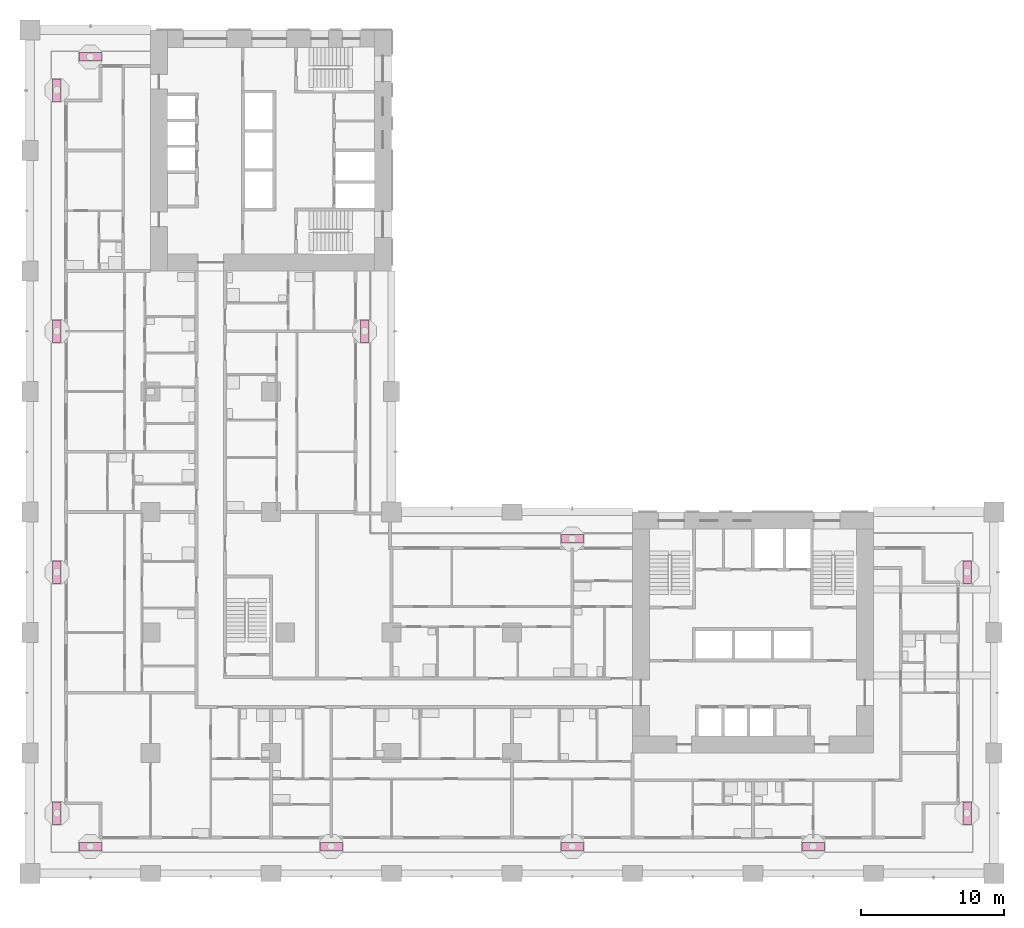
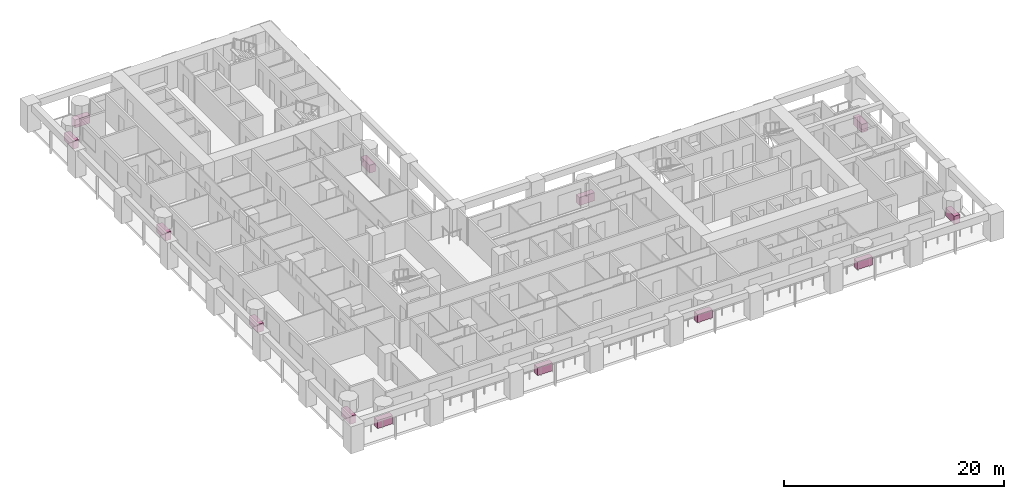
# One storey, part 20 of 21: 13 furniture elements.
"""IFC4 building model written with IfcOpenShell, lengths in metres."""

from ifc_helpers import new_model, si_unit, direction, frame, origin, origin_2d, place, context, subcontext, project, spatial, rectangle, extrude, material, element, save


model = new_model("IFC4")

# Units and contexts
model_context = context("Model", 3, precision=1e-05, world=origin(), true_north=direction((0.0, 1.0)))
body_context = subcontext(model_context, "Body", "Model", "MODEL_VIEW")
ifc_project = project(units=[si_unit("LENGTHUNIT", "METRE"), si_unit("AREAUNIT", "SQUARE_METRE"), si_unit("VOLUMEUNIT", "CUBIC_METRE"), si_unit("PLANEANGLEUNIT", "RADIAN"), si_unit("MASSUNIT", "GRAM", prefix="KILO")], contexts=[model_context])

# Site, building, storey
site_placement = place(None, origin())
site = spatial("IfcSite", under=ifc_project, at=site_placement, CompositionType="ELEMENT")
building_placement = place(site_placement, origin())
building = spatial("IfcBuilding", under=site, at=building_placement, Name="Vermilion Gate Residences", CompositionType="ELEMENT")
storey_placement = place(building_placement, frame((0.0, 0.0, 70.699951171875)))
storey = spatial("IfcBuildingStorey", under=building, at=storey_placement, Name="L17", CompositionType="ELEMENT", Elevation=70.699951171875)

# Furniture
ifc_material = material(Name="Terracotta planter", Category="masonry")
for number, where, z_axis, x_axis, name in (
    (1, (4.199951171875, 1.875, 0.0), (0.0, 0.0, 1.0), (1.0, 0.0, 0.0), "PLANTER"),
    (2, (21.0, 1.875, 0.0), (0.0, 0.0, 1.0), (1.0, 0.0, 0.0), "PLANTER"),
    (3, (37.800048828125, 1.875, 0.0), (0.0, 0.0, 1.0), (1.0, 0.0, 0.0), "PLANTER"),
    (4, (54.60009765625, 1.875, 0.0), (0.0, 0.0, 1.0), (1.0, 0.0, 0.0), "PLANTER"),
    (5, (65.324951171875, 4.199951171875, 0.0), (0.0, 0.0, 1.0), (0.0, 1.0, 0.0), "PLANTER"),
    (6, (65.324951171875, 21.0, 0.0), (0.0, 0.0, 1.0), (0.0, 1.0, 0.0), "PLANTER"),
    (7, (37.800048828125, 23.324951171875, 0.0), (0.0, 0.0, 1.0), (-1.0, 0.0, 0.0), "PLANTER"),
    (8, (23.324951171875, 37.800048828125, 0.0), (0.0, 0.0, 1.0), (0.0, 1.0, 0.0), "PLANTER"),
    (9, (4.199951171875, 56.925048828125, 0.0), (0.0, 0.0, 1.0), (-1.0, 0.0, 0.0), "PLANTER"),
    (10, (1.875, 4.199951171875, 0.0), (0.0, 0.0, 1.0), (0.0, -1.0, 0.0), "PLANTER"),
    (11, (1.875, 21.0, 0.0), (0.0, 0.0, 1.0), (0.0, -1.0, 0.0), "PLANTER"),
    (12, (1.875, 37.800048828125, 0.0), (0.0, 0.0, 1.0), (0.0, -1.0, 0.0), "PLANTER"),
    (13, (1.875, 54.60009765625, 0.0), (0.0, 0.0, 1.0), (0.0, -1.0, 0.0), "PLANTER"),
):
    element("IfcFurniture", number, at=place(storey_placement, frame(where, z_axis=z_axis, x_axis=x_axis)), inside=storey, material=ifc_material, Name=name, ObjectType="PLANTER", PredefinedType="USERDEFINED", context=body_context, shape_type="SweptSolid", body=[
        extrude(rectangle(XDim=1.60009765625, YDim=0.60009765625, at=origin_2d()), origin(), (0.0, 0.0, 1.0), 0.89990234375),
    ])

save(model, "model.ifc")
